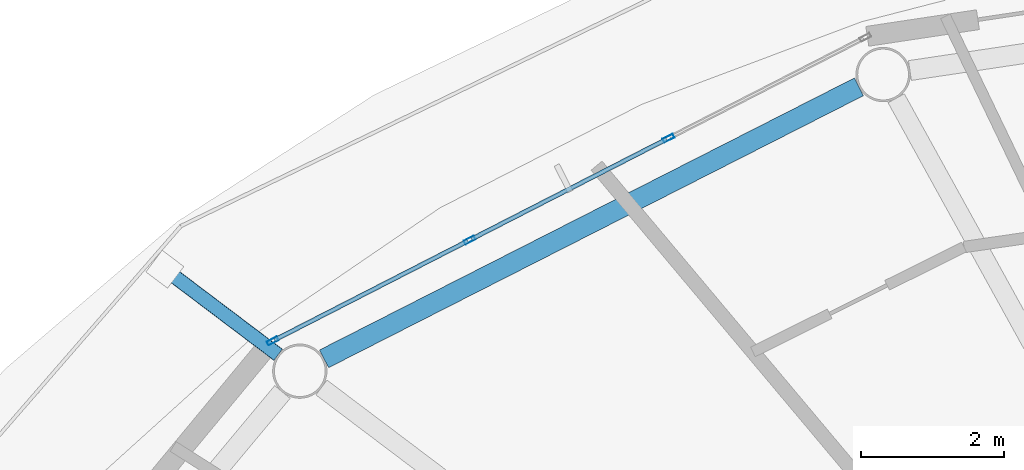
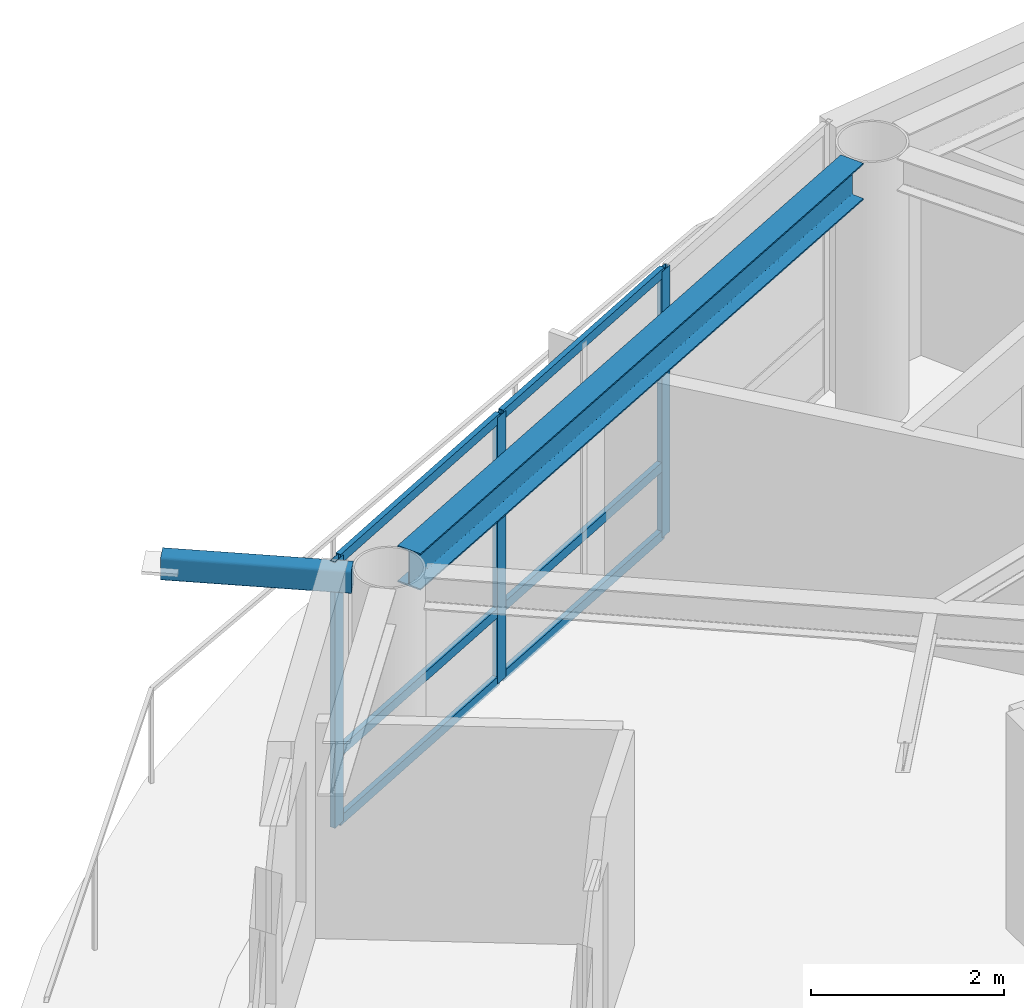
# One storey, part 8 of 23: 10 members, 1 beam, 1 element without a shape of its own.
"""IFC4 building model written with IfcOpenShell, lengths in metres."""

from ifc_helpers import new_model, si_unit, direction, frame, origin, origin_2d, place, context, subcontext, project, spatial, hollow_rectangle, i_section, extrude, material, layer, layer_set, material_profile, profile_set, type_object, element, aggregate, save


model = new_model("IFC4")

# Units and contexts
model_context = context("Model", 3, precision=1e-05, world=origin(), true_north=direction((0.0, 1.0)))
body_context = subcontext(model_context, "Body", "Model", "MODEL_VIEW")
ifc_project = project(units=[si_unit("LENGTHUNIT", "METRE"), si_unit("AREAUNIT", "SQUARE_METRE"), si_unit("VOLUMEUNIT", "CUBIC_METRE"), si_unit("PLANEANGLEUNIT", "RADIAN"), si_unit("MASSUNIT", "GRAM", prefix="KILO")], contexts=[model_context])

# Site, building, storey
site_placement = place(None, origin())
site = spatial("IfcSite", under=ifc_project, at=site_placement, CompositionType="ELEMENT")
building_placement = place(site_placement, origin())
building = spatial("IfcBuilding", under=site, at=building_placement, Name="Sarneth Arch Tower", CompositionType="ELEMENT")
storey_placement = place(building_placement, frame((0.0, 0.0, 269.39990234375)))
storey = spatial("IfcBuildingStorey", under=building, at=storey_placement, Name="L69", CompositionType="ELEMENT", Elevation=269.39990234375)

# Beam
ifc_material_1 = material(Name="Steel S355", Category="steel")
ifc_material_profile_1 = material_profile(ifc_material_1, i_section(OverallWidth=0.280029296875, OverallDepth=0.462890625, WebThickness=0.0107421875, FlangeThickness=0.017333984375, FilletRadius=0.01806640625, at=origin_2d()), Name="W460x113")
ifc_profile_set_1 = profile_set([ifc_material_profile_1], Name="Steel S355")
beam_type = type_object("IfcBeamType", Name="BM-RAD-460A", PredefinedType="BEAM", material=ifc_profile_set_1)
beam_placement = place(storey_placement, frame((37.86962890625, 59.565673828125, 3.138671875), z_axis=(-0.891373613492, -0.453269325204, 0.0), x_axis=(0.453269325204, -0.891373613492, 0.0)))
element("IfcBeam", 1, at=beam_placement, inside=storey, type_object=beam_type, Name="L69 Perimeter spandrel beam 06", PredefinedType="BEAM", context=body_context, shape_type="SweptSolid", body=[
    extrude(i_section(OverallWidth=0.280029296875, OverallDepth=0.462890625, WebThickness=0.0107421875, FlangeThickness=0.017333984375, FilletRadius=0.01806640625, at=origin_2d()), origin(), (0.0, 0.0, 1.0), 8.419677734375),
])

# Curtain wall, members
ifc_material_2 = material(Name="Anodised aluminium Type AA25 and solar-control low-e laminated IGU", Category="aluminium")
ifc_layer = layer(ifc_material_2, 0.179931640625)
ifc_layer_set = layer_set([ifc_layer], Name="Anodised aluminium Type AA25 and solar-control low-e laminated IGU")
curtain_wall_type = type_object("IfcCurtainWallType", Name="CW-RES-HIGH", PredefinedType="NOTDEFINED", material=ifc_layer_set)
curtain_wall_placement = place(storey_placement, origin())
curtain_wall = element("IfcCurtainWall", 2, at=curtain_wall_placement, inside=storey, type_object=curtain_wall_type, Name="L69 Unitised curtain wall facet 06", PredefinedType="NOTDEFINED")
ifc_material_3 = material(Name="Anodised Aluminium 6063-T6", Category="aluminium")
ifc_material_profile_2 = material_profile(ifc_material_3, hollow_rectangle(XDim=0.06005859375, YDim=0.159912109375, WallThickness=0.00390625, at=origin_2d()), Name="AL-MULL-160x60x4")
ifc_profile_set_2 = profile_set([ifc_material_profile_2], Name="Anodised Aluminium 6063-T6")
member_type_1 = type_object("IfcMemberType", Name="CW-MULLION", PredefinedType="MULLION", material=ifc_profile_set_2)
member_1_placement = place(storey_placement, frame((35.197509765625, 58.844970703125, 0.0), z_axis=(0.0, 0.0, 1.0), x_axis=(0.455941901753, -0.890009540525, 0.0)))
member_1 = element("IfcMember", 3, at=member_1_placement, type_object=member_type_1, Name="CW-SYS-6 mullion 2", PredefinedType="MULLION", context=body_context, shape_type="SweptSolid", body=[
    extrude(hollow_rectangle(XDim=0.06005859375, YDim=0.159912109375, WallThickness=0.00390625, at=origin_2d()), origin(), (0.0, 0.0, 1.0), 3.3701171875),
])
member_2_placement = place(storey_placement, frame((32.407470703125, 57.415771484375, 0.0), z_axis=(0.0, 0.0, 1.0), x_axis=(0.455941901753, -0.890009540525, 0.0)))
member_2 = element("IfcMember", 4, at=member_2_placement, type_object=member_type_1, Name="CW-SYS-6 mullion 3", PredefinedType="MULLION", context=body_context, shape_type="SweptSolid", body=[
    extrude(hollow_rectangle(XDim=0.06005859375, YDim=0.159912109375, WallThickness=0.00390625, at=origin_2d()), origin(), (0.0, 0.0, 1.0), 3.3701171875),
])
member_3_placement = place(storey_placement, frame((29.644287109375, 56.000244140625, 0.0), z_axis=(0.0, 0.0, 1.0), x_axis=(0.455941901753, -0.890009540525, 0.0)))
member_3 = element("IfcMember", 5, at=member_3_placement, type_object=member_type_1, Name="CW-SYS-6 mullion 4", PredefinedType="MULLION", context=body_context, shape_type="SweptSolid", body=[
    extrude(hollow_rectangle(XDim=0.06005859375, YDim=0.159912109375, WallThickness=0.00390625, at=origin_2d()), origin(), (0.0, 0.0, 1.0), 3.3701171875),
])
ifc_material_4 = material(Name="Anodised Aluminium 6063-T6", Category="aluminium")
ifc_material_profile_3 = material_profile(ifc_material_4, hollow_rectangle(XDim=0.06005859375, YDim=0.1201171875, WallThickness=0.00390625, at=origin_2d()), Name="AL-TRAN-120x60x4")
ifc_profile_set_3 = profile_set([ifc_material_profile_3], Name="Anodised Aluminium 6063-T6")
member_type_2 = type_object("IfcMemberType", Name="CW-TRANSOM", PredefinedType="USERDEFINED", material=ifc_profile_set_3)
member_4_placement = place(storey_placement, frame((35.170654296875, 58.831298828125, 0.030029296875), z_axis=(-0.890017432405, -0.455926496286, 0.0), x_axis=(0.455926496286, -0.890017432405, 0.0)))
member_4 = element("IfcMember", 6, at=member_4_placement, type_object=member_type_2, Name="CW-SYS-6 transom 2.1", ObjectType="TRANSOM", PredefinedType="USERDEFINED", context=body_context, shape_type="SweptSolid", body=[
    extrude(hollow_rectangle(XDim=0.06005859375, YDim=0.1201171875, WallThickness=0.00390625, at=origin_2d()), origin(), (0.0, 0.0, 1.0), 3.07470703125),
])
member_5_placement = place(storey_placement, frame((35.170654296875, 58.831298828125, 0.900146484375), z_axis=(-0.890017432405, -0.455926496286, 0.0), x_axis=(0.455926496286, -0.890017432405, 0.0)))
member_5 = element("IfcMember", 7, at=member_5_placement, type_object=member_type_2, Name="CW-SYS-6 transom 2.2", ObjectType="TRANSOM", PredefinedType="USERDEFINED", context=body_context, shape_type="SweptSolid", body=[
    extrude(hollow_rectangle(XDim=0.06005859375, YDim=0.1201171875, WallThickness=0.00390625, at=origin_2d()), origin(), (0.0, 0.0, 1.0), 3.07470703125),
])
member_6_placement = place(storey_placement, frame((35.170654296875, 58.831298828125, 3.340087890625), z_axis=(-0.890017432405, -0.455926496286, 0.0), x_axis=(0.455926496286, -0.890017432405, 0.0)))
member_6 = element("IfcMember", 8, at=member_6_placement, type_object=member_type_2, Name="CW-SYS-6 transom 2.3", ObjectType="TRANSOM", PredefinedType="USERDEFINED", context=body_context, shape_type="SweptSolid", body=[
    extrude(hollow_rectangle(XDim=0.06005859375, YDim=0.1201171875, WallThickness=0.00390625, at=origin_2d()), origin(), (0.0, 0.0, 1.0), 3.07470703125),
])
member_7_placement = place(storey_placement, frame((32.380859375, 57.402099609375, 0.030029296875), z_axis=(-0.890022732705, -0.455916149384, 0.0), x_axis=(0.455916149384, -0.890022732705, 0.0)))
member_7 = element("IfcMember", 9, at=member_7_placement, type_object=member_type_2, Name="CW-SYS-6 transom 3.1", ObjectType="TRANSOM", PredefinedType="USERDEFINED", context=body_context, shape_type="SweptSolid", body=[
    extrude(hollow_rectangle(XDim=0.06005859375, YDim=0.1201171875, WallThickness=0.00390625, at=origin_2d()), origin(), (0.0, 0.0, 1.0), 3.044921875),
])
member_8_placement = place(storey_placement, frame((32.380859375, 57.402099609375, 0.900146484375), z_axis=(-0.890022732705, -0.455916149384, 0.0), x_axis=(0.455916149384, -0.890022732705, 0.0)))
member_8 = element("IfcMember", 10, at=member_8_placement, type_object=member_type_2, Name="CW-SYS-6 transom 3.2", ObjectType="TRANSOM", PredefinedType="USERDEFINED", context=body_context, shape_type="SweptSolid", body=[
    extrude(hollow_rectangle(XDim=0.06005859375, YDim=0.1201171875, WallThickness=0.00390625, at=origin_2d()), origin(), (0.0, 0.0, 1.0), 3.044921875),
])
member_9_placement = place(storey_placement, frame((32.380859375, 57.402099609375, 3.340087890625), z_axis=(-0.890022732705, -0.455916149384, 0.0), x_axis=(0.455916149384, -0.890022732705, 0.0)))
member_9 = element("IfcMember", 11, at=member_9_placement, type_object=member_type_2, Name="CW-SYS-6 transom 3.3", ObjectType="TRANSOM", PredefinedType="USERDEFINED", context=body_context, shape_type="SweptSolid", body=[
    extrude(hollow_rectangle(XDim=0.06005859375, YDim=0.1201171875, WallThickness=0.00390625, at=origin_2d()), origin(), (0.0, 0.0, 1.0), 3.044921875),
])
aggregate(curtain_wall, [member_1, member_2, member_3, member_4, member_5, member_6, member_7, member_8, member_9])

# Member
ifc_material_5 = material(Name="Steel S355", Category="steel")
ifc_material_profile_4 = material_profile(ifc_material_5, hollow_rectangle(XDim=0.199951171875, YDim=0.300048828125, WallThickness=0.012451171875, InnerFilletRadius=0.018798828125, OuterFilletRadius=0.03125, at=origin_2d()), Name="RHS300x200x12.5")
ifc_profile_set_4 = profile_set([ifc_material_profile_4], Name="Steel S355")
member_type_3 = type_object("IfcMemberType", Name="MEM-CANT-STRUT", PredefinedType="STRUT", material=ifc_profile_set_4)
member_10_placement = place(storey_placement, frame((29.720703125, 55.80615234375, 3.210205078125), z_axis=(-0.797965573983, 0.602703030304, 0.0), x_axis=(-0.602703030304, -0.797965573983, 0.0)))
element("IfcMember", 12, at=member_10_placement, inside=storey, type_object=member_type_3, Name="L69 Balcony cantilever bracket 07", PredefinedType="STRUT", context=body_context, shape_type="SweptSolid", body=[
    extrude(hollow_rectangle(XDim=0.199951171875, YDim=0.300048828125, WallThickness=0.012451171875, InnerFilletRadius=0.018798828125, OuterFilletRadius=0.03125, at=origin_2d()), origin(), (0.0, 0.0, 1.0), 1.99169921875),
])

save(model, "model.ifc")
